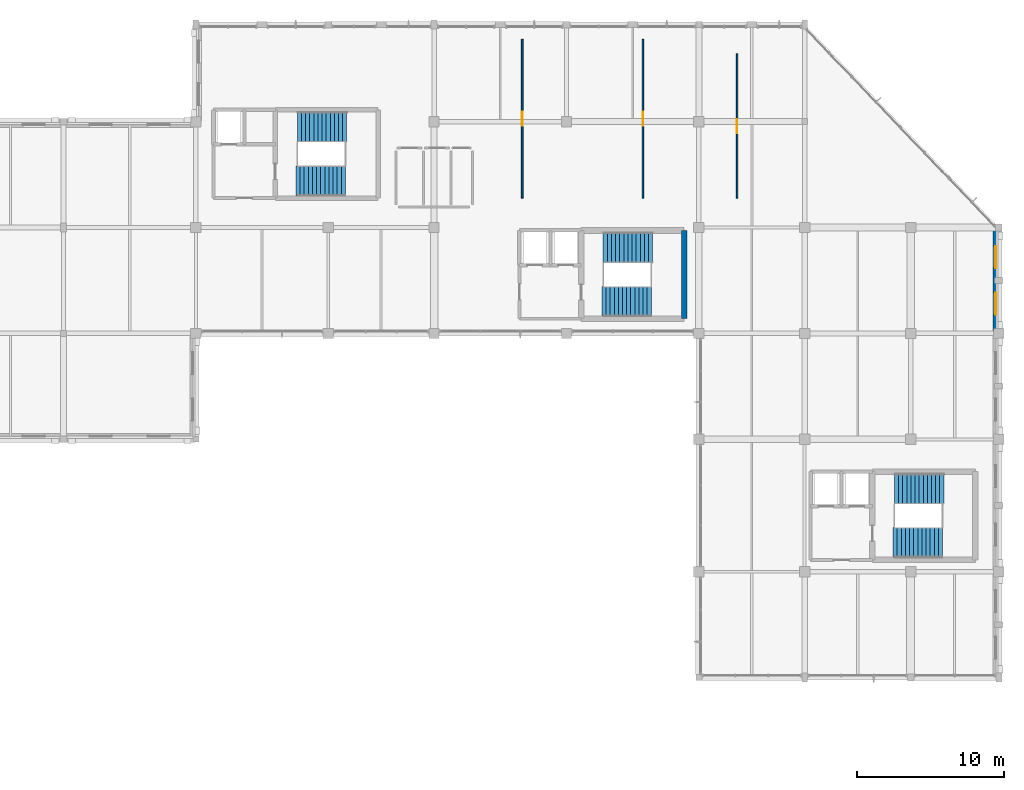
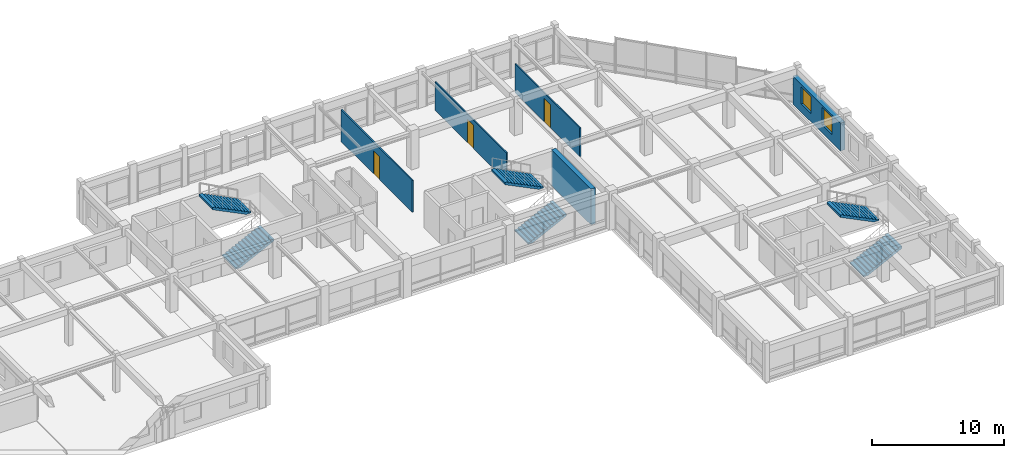
# One storey, part 45 of 52: 6 stair flights, 5 walls, 3 doors, 2 windows, 5 openings, 3 elements without a shape of their own.
"""IFC4 building model written with IfcOpenShell, lengths in metres."""

from ifc_helpers import new_model, si_unit, direction, frame, frame_2d, origin, place, context, subcontext, project, spatial, polyline, rectangle, outline, extrude, material, layer, layer_set, type_object, element, fill, aggregate, save


model = new_model("IFC4")

# Units and contexts
model_context = context("Model", 3, precision=1e-05, world=origin(), true_north=direction((0.0, 1.0)))
body_context = subcontext(model_context, "Body", "Model", "MODEL_VIEW")
ifc_project = project(units=[si_unit("LENGTHUNIT", "METRE"), si_unit("AREAUNIT", "SQUARE_METRE"), si_unit("VOLUMEUNIT", "CUBIC_METRE"), si_unit("PLANEANGLEUNIT", "RADIAN"), si_unit("MASSUNIT", "GRAM", prefix="KILO")], contexts=[model_context])

# Site, building, storey
site_placement = place(None, origin())
site = spatial("IfcSite", under=ifc_project, at=site_placement, CompositionType="ELEMENT")
building_placement = place(site_placement, origin())
building = spatial("IfcBuilding", under=site, at=building_placement, Name="Clarverna Civic Hall", CompositionType="ELEMENT")
storey_placement = place(building_placement, frame((0.0, 0.0, 16.800048828125)))
storey = spatial("IfcBuildingStorey", under=building, at=storey_placement, Name="L04", CompositionType="ELEMENT", Elevation=16.800048828125)

# Wall, openings, windows
ifc_material_1 = material(Name="Montjuic Limestone Ashlar Cladding", Category="masonry")
ifc_layer_1 = layer(ifc_material_1, 0.39990234375)
ifc_layer_set_1 = layer_set([ifc_layer_1], Name="Montjuic Limestone Ashlar Cladding")
wall_type_1 = type_object("IfcWallType", Name="EW-02", PredefinedType="SOLIDWALL", material=ifc_layer_set_1)
wall_1_placement = place(storey_placement, frame((167.800048828125, 102.199951171875, 0.0), z_axis=(0.0, 0.0, 1.0), x_axis=(0.0, -1.0, 0.0)))
wall_1 = element("IfcWall", 1, at=wall_1_placement, inside=storey, type_object=wall_type_1, Name="EW-02-223", PredefinedType="SOLIDWALL", context=body_context, shape_type="SweptSolid", body=[
    extrude(rectangle(XDim=7.199951171875, YDim=0.39990234375, at=frame_2d((3.60009765625, 0.0))), origin(), (0.0, 0.0, 1.0), 2.570068359375),
])
opening_1_placement = place(wall_1_placement, frame((1.26611328125, 0.0, 0.75)))
opening_1 = element("IfcOpeningElement", 2, at=opening_1_placement, cuts=wall_1, Name="Opening WN-14", PredefinedType="OPENING", context=body_context, shape_type="SweptSolid", body=[
    extrude(rectangle(XDim=1.5, YDim=1.60009765625, at=frame_2d((0.75, 0.800048828125))), frame((0.0, 0.2099609375, 0.0), z_axis=(0.0, -1.0, 0.0), x_axis=(1.0, 0.0, 0.0)), (0.0, 0.0, 1.0), 0.419921875),
])
opening_2_placement = place(wall_1_placement, frame((4.43408203125, 0.0, 0.75)))
opening_2 = element("IfcOpeningElement", 3, at=opening_2_placement, cuts=wall_1, Name="Opening WN-14", PredefinedType="OPENING", context=body_context, shape_type="SweptSolid", body=[
    extrude(rectangle(XDim=1.5, YDim=1.60009765625, at=frame_2d((0.75, 0.800048828125))), frame((0.0, 0.2099609375, 0.0), z_axis=(0.0, -1.0, 0.0), x_axis=(1.0, 0.0, 0.0)), (0.0, 0.0, 1.0), 0.419921875),
])
ifc_material_2 = material(Name="Solar-Control Argon Low-E Double Glazing", Category="glass")
window_type = type_object("IfcWindowType", Name="WN-14", PartitioningType="DOUBLE_PANEL_HORIZONTAL", PredefinedType="WINDOW", material=ifc_material_2)
window_1_placement = place(opening_1_placement, origin())
window_1 = element("IfcWindow", 4, at=window_1_placement, inside=storey, type_object=window_type, Name="WN-14-238", OverallHeight=1.60009765625, OverallWidth=1.5, PartitioningType="DOUBLE_PANEL_HORIZONTAL", PredefinedType="WINDOW", context=body_context, shape_type="SweptSolid", body=[
    extrude(rectangle(XDim=1.5, YDim=1.60009765625, at=frame_2d((0.75, 0.800048828125))), frame((0.0, 0.030029296875, 0.0), z_axis=(0.0, -1.0, 0.0), x_axis=(1.0, 0.0, 0.0)), (0.0, 0.0, 1.0), 0.06005859375),
])
fill(opening_1, window_1)
window_2_placement = place(opening_2_placement, origin())
window_2 = element("IfcWindow", 5, at=window_2_placement, inside=storey, type_object=window_type, Name="WN-14-239", OverallHeight=1.60009765625, OverallWidth=1.5, PartitioningType="DOUBLE_PANEL_HORIZONTAL", PredefinedType="WINDOW", context=body_context, shape_type="SweptSolid", body=[
    extrude(rectangle(XDim=1.5, YDim=1.60009765625, at=frame_2d((0.75, 0.800048828125))), frame((0.0, 0.030029296875, 0.0), z_axis=(0.0, -1.0, 0.0), x_axis=(1.0, 0.0, 0.0)), (0.0, 0.0, 1.0), 0.06005859375),
])
fill(opening_2, window_2)

# Wall, opening, door
ifc_material_3 = material(Name="Gypsum Plasterboard Partition", Category="gypsum")
ifc_layer_2 = layer(ifc_material_3, 0.1201171875)
ifc_layer_set_2 = layer_set([ifc_layer_2], Name="Gypsum Plasterboard Partition")
wall_type_2 = type_object("IfcWallType", Name="PW-03", PredefinedType="PARTITIONING", material=ifc_layer_set_2)
wall_2_placement = place(storey_placement, frame((135.60009765625, 104.199951171875, 0.0), z_axis=(0.0, 0.0, 1.0), x_axis=(0.0, 1.0, 0.0)))
wall_2 = element("IfcWall", 6, at=wall_2_placement, inside=storey, type_object=wall_type_2, Name="PW-03-007", PredefinedType="PARTITIONING", context=body_context, shape_type="SweptSolid", body=[
    extrude(rectangle(XDim=10.800048828125, YDim=0.1201171875, at=frame_2d((5.39990234375, 0.0))), origin(), (0.0, 0.0, 1.0), 2.929931640625),
])
opening_3_placement = place(wall_2_placement, frame((4.925048828125, 0.0, 0.0)))
opening_3 = element("IfcOpeningElement", 7, at=opening_3_placement, cuts=wall_2, Name="Opening ID-01", PredefinedType="OPENING", context=body_context, shape_type="SweptSolid", body=[
    extrude(rectangle(XDim=0.949951171875, YDim=2.14990234375, at=frame_2d((0.47509765625, 1.074951171875))), frame((0.0, 0.070068359375, 0.0), z_axis=(0.0, -1.0, 0.0), x_axis=(1.0, 0.0, 0.0)), (0.0, 0.0, 1.0), 0.14013671875),
])
ifc_material_4 = material(Name="European Oak Veneered Acoustic Timber Door", Category="wood")
door_type = type_object("IfcDoorType", Name="ID-01", OperationType="NOTDEFINED", PredefinedType="DOOR", material=ifc_material_4)
door_1_placement = place(opening_3_placement, origin())
door_1 = element("IfcDoor", 8, at=door_1_placement, inside=storey, type_object=door_type, Name="ID-01-008", OperationType="SINGLE_SWING_RIGHT", OverallHeight=2.14990234375, OverallWidth=0.949951171875, PredefinedType="DOOR", context=body_context, shape_type="SweptSolid", body=[
    extrude(rectangle(XDim=0.949951171875, YDim=2.14990234375, at=frame_2d((0.47509765625, 1.074951171875))), frame((0.0, 0.02490234375, 0.0), z_axis=(0.0, -1.0, 0.0), x_axis=(1.0, 0.0, 0.0)), (0.0, 0.0, 1.0), 0.050048828125),
])
fill(opening_3, door_1)

ifc_layer_3 = layer(ifc_material_3, 0.10009765625)
ifc_layer_set_3 = layer_set([ifc_layer_3], Name="Gypsum Plasterboard Partition")
wall_type_3 = type_object("IfcWallType", Name="PW-04", PredefinedType="PARTITIONING", material=ifc_layer_set_3)
wall_3_placement = place(storey_placement, frame((143.800048828125, 104.199951171875, 0.0), z_axis=(0.0, 0.0, 1.0), x_axis=(0.0, 1.0, 0.0)))
wall_3 = element("IfcWall", 9, at=wall_3_placement, inside=storey, type_object=wall_type_3, Name="PW-04-006", PredefinedType="PARTITIONING", context=body_context, shape_type="SweptSolid", body=[
    extrude(rectangle(XDim=10.800048828125, YDim=0.10009765625, at=frame_2d((5.39990234375, 0.0))), origin(), (0.0, 0.0, 1.0), 2.619873046875),
])
opening_4_placement = place(wall_3_placement, frame((4.925048828125, 0.0, 0.0)))
opening_4 = element("IfcOpeningElement", 10, at=opening_4_placement, cuts=wall_3, Name="Opening ID-01", PredefinedType="OPENING", context=body_context, shape_type="SweptSolid", body=[
    extrude(rectangle(XDim=0.949951171875, YDim=2.14990234375, at=frame_2d((0.47509765625, 1.074951171875))), frame((0.0, 0.06005859375, 0.0), z_axis=(0.0, -1.0, 0.0), x_axis=(1.0, 0.0, 0.0)), (0.0, 0.0, 1.0), 0.1201171875),
])
door_2_placement = place(opening_4_placement, origin())
door_2 = element("IfcDoor", 11, at=door_2_placement, inside=storey, type_object=door_type, Name="ID-01-009", OperationType="SINGLE_SWING_LEFT", OverallHeight=2.14990234375, OverallWidth=0.949951171875, PredefinedType="DOOR", context=body_context, shape_type="SweptSolid", body=[
    extrude(rectangle(XDim=0.949951171875, YDim=2.14990234375, at=frame_2d((0.47509765625, 1.074951171875))), frame((0.0, 0.02490234375, 0.0), z_axis=(0.0, -1.0, 0.0), x_axis=(1.0, 0.0, 0.0)), (0.0, 0.0, 1.0), 0.050048828125),
])
fill(opening_4, door_2)

wall_4_placement = place(storey_placement, frame((150.199951171875, 104.199951171875, 0.0), z_axis=(0.0, 0.0, 1.0), x_axis=(0.0, 1.0, 0.0)))
wall_4 = element("IfcWall", 12, at=wall_4_placement, inside=storey, type_object=wall_type_3, Name="PW-04-007", PredefinedType="PARTITIONING", context=body_context, shape_type="SweptSolid", body=[
    extrude(rectangle(XDim=9.800048828125, YDim=0.10009765625, at=frame_2d((4.89990234375, 0.0))), origin(), (0.0, 0.0, 1.0), 2.669921875),
])
opening_5_placement = place(wall_4_placement, frame((4.425048828125, 0.0, 0.0)))
opening_5 = element("IfcOpeningElement", 13, at=opening_5_placement, cuts=wall_4, Name="Opening ID-01", PredefinedType="OPENING", context=body_context, shape_type="SweptSolid", body=[
    extrude(rectangle(XDim=0.949951171875, YDim=2.14990234375, at=frame_2d((0.47509765625, 1.074951171875))), frame((0.0, 0.06005859375, 0.0), z_axis=(0.0, -1.0, 0.0), x_axis=(1.0, 0.0, 0.0)), (0.0, 0.0, 1.0), 0.1201171875),
])
door_3_placement = place(opening_5_placement, origin())
door_3 = element("IfcDoor", 14, at=door_3_placement, inside=storey, type_object=door_type, Name="ID-01-010", OperationType="SINGLE_SWING_RIGHT", OverallHeight=2.14990234375, OverallWidth=0.949951171875, PredefinedType="DOOR", context=body_context, shape_type="SweptSolid", body=[
    extrude(rectangle(XDim=0.949951171875, YDim=2.14990234375, at=frame_2d((0.47509765625, 1.074951171875))), frame((0.0, 0.02490234375, 0.0), z_axis=(0.0, -1.0, 0.0), x_axis=(1.0, 0.0, 0.0)), (0.0, 0.0, 1.0), 0.050048828125),
])
fill(opening_5, door_3)

# Wall
ifc_material_5 = material(Name="Concrete C35/45", Category="concrete")
ifc_layer_4 = layer(ifc_material_5, 0.3798828125)
ifc_layer_set_4 = layer_set([ifc_layer_4], Name="Concrete C35/45")
wall_type_4 = type_object("IfcWallType", Name="SW-01", PredefinedType="SHEAR", material=ifc_layer_set_4)
wall_5_placement = place(storey_placement, frame((146.60009765625, 96.0, 0.0), z_axis=(0.0, 0.0, 1.0), x_axis=(0.0, 1.0, 0.0)))
element("IfcWall", 15, at=wall_5_placement, inside=storey, type_object=wall_type_4, Name="SW-01-047", PredefinedType="SHEAR", context=body_context, shape_type="SweptSolid", body=[
    extrude(rectangle(XDim=6.0, YDim=0.3798828125, at=frame_2d((3.0, 0.0))), origin(), (0.0, 0.0, 1.0), 3.320068359375),
])

# Stair, stair flights
ifc_material_6 = material(Name="Concrete C30/37", Category="concrete")
stair_type = type_object("IfcStairType", Name="ST-H1", PredefinedType="HALF_TURN_STAIR", material=ifc_material_6)
stair_1_placement = place(storey_placement, origin())
stair_1 = element("IfcStair", 16, at=stair_1_placement, inside=storey, type_object=stair_type, Name="ST-H1:L04:0004", PredefinedType="HALF_TURN_STAIR")
stair_flight_type = type_object("IfcStairFlightType", Name="SF-02", PredefinedType="STRAIGHT", material=ifc_material_6)
stair_flight_1_placement = place(storey_placement, frame((141.010009765625, 97.179931640625, 0.0), z_axis=(0.0, 0.0, 1.0), x_axis=(1.0, 0.0, 0.0)))
stair_flight_1 = element("IfcStairFlight", 17, at=stair_flight_1_placement, type_object=stair_flight_type, Name="SF-02:L04:0007", NumberOfRisers=13, NumberOfTreads=12, PredefinedType="STRAIGHT", RiserHeight=0.138462, TreadLength=0.28, context=body_context, shape_type="SweptSolid", body=[
    extrude(outline(polyline([(0.0, 0.0), (0.0, 0.138427734375), (0.280029296875, 0.138427734375), (0.280029296875, 0.27685546875), (0.56005859375, 0.27685546875), (0.56005859375, 0.415283203125), (0.840087890625, 0.415283203125), (0.840087890625, 0.553955078125), (1.1201171875, 0.553955078125), (1.1201171875, 0.6923828125), (1.39990234375, 0.6923828125), (1.39990234375, 0.830810546875), (1.679931640625, 0.830810546875), (1.679931640625, 0.96923828125), (1.9599609375, 0.96923828125), (1.9599609375, 1.107666015625), (2.239990234375, 1.107666015625), (2.239990234375, 1.24609375), (2.52001953125, 1.24609375), (2.52001953125, 1.384521484375), (2.800048828125, 1.384521484375), (2.800048828125, 1.523193359375), (3.080078125, 1.523193359375), (3.080078125, 1.66162109375), (3.360107421875, 1.66162109375), (3.360107421875, 1.800048828125), (3.360107421875, 1.460693359375), (0.406005859375, 0.0), (0.0, 0.0)])), frame((0.0, 1.02001953125, 0.0), z_axis=(0.0, -1.0, 0.0), x_axis=(1.0, 0.0, 0.0)), (0.0, 0.0, 1.0), 2.0400390625),
])
stair_flight_2_placement = place(storey_placement, frame((144.4599609375, 100.820068359375, 1.800048828125), z_axis=(0.0, 0.0, 1.0), x_axis=(-1.0, 0.0, 0.0)))
stair_flight_2 = element("IfcStairFlight", 18, at=stair_flight_2_placement, type_object=stair_flight_type, Name="SF-02:L04:0008", NumberOfRisers=13, NumberOfTreads=12, PredefinedType="STRAIGHT", RiserHeight=0.138462, TreadLength=0.28, context=body_context, shape_type="SweptSolid", body=[
    extrude(outline(polyline([(0.0, 0.0), (0.0, 0.138427734375), (0.280029296875, 0.138427734375), (0.280029296875, 0.27685546875), (0.56005859375, 0.27685546875), (0.56005859375, 0.415283203125), (0.840087890625, 0.415283203125), (0.840087890625, 0.553955078125), (1.1201171875, 0.553955078125), (1.1201171875, 0.6923828125), (1.39990234375, 0.6923828125), (1.39990234375, 0.830810546875), (1.679931640625, 0.830810546875), (1.679931640625, 0.96923828125), (1.9599609375, 0.96923828125), (1.9599609375, 1.107666015625), (2.239990234375, 1.107666015625), (2.239990234375, 1.24609375), (2.52001953125, 1.24609375), (2.52001953125, 1.384521484375), (2.800048828125, 1.384521484375), (2.800048828125, 1.523193359375), (3.080078125, 1.523193359375), (3.080078125, 1.66162109375), (3.360107421875, 1.66162109375), (3.360107421875, 1.800048828125), (3.360107421875, 1.460693359375), (0.406005859375, 0.0), (0.0, 0.0)])), frame((0.0, 1.02001953125, 0.0), z_axis=(0.0, -1.0, 0.0), x_axis=(1.0, 0.0, 0.0)), (0.0, 0.0, 1.0), 2.0400390625),
])
aggregate(stair_1, [stair_flight_1, stair_flight_2])

stair_2_placement = place(storey_placement, origin())
stair_2 = element("IfcStair", 19, at=stair_2_placement, inside=storey, type_object=stair_type, Name="ST-H1:L04:0010", PredefinedType="HALF_TURN_STAIR")
stair_flight_3_placement = place(storey_placement, frame((160.81005859375, 80.780029296875, 0.0), z_axis=(0.0, 0.0, 1.0), x_axis=(1.0, 0.0, 0.0)))
stair_flight_3 = element("IfcStairFlight", 20, at=stair_flight_3_placement, type_object=stair_flight_type, Name="SF-02:L04:0019", NumberOfRisers=13, NumberOfTreads=12, PredefinedType="STRAIGHT", RiserHeight=0.138462, TreadLength=0.28, context=body_context, shape_type="SweptSolid", body=[
    extrude(outline(polyline([(0.0, 0.0), (0.0, 0.138427734375), (0.280029296875, 0.138427734375), (0.280029296875, 0.27685546875), (0.56005859375, 0.27685546875), (0.56005859375, 0.415283203125), (0.840087890625, 0.415283203125), (0.840087890625, 0.553955078125), (1.1201171875, 0.553955078125), (1.1201171875, 0.6923828125), (1.39990234375, 0.6923828125), (1.39990234375, 0.830810546875), (1.679931640625, 0.830810546875), (1.679931640625, 0.96923828125), (1.9599609375, 0.96923828125), (1.9599609375, 1.107666015625), (2.239990234375, 1.107666015625), (2.239990234375, 1.24609375), (2.52001953125, 1.24609375), (2.52001953125, 1.384521484375), (2.800048828125, 1.384521484375), (2.800048828125, 1.523193359375), (3.080078125, 1.523193359375), (3.080078125, 1.66162109375), (3.360107421875, 1.66162109375), (3.360107421875, 1.800048828125), (3.360107421875, 1.460693359375), (0.406005859375, 0.0), (0.0, 0.0)])), frame((0.0, 1.02001953125, 0.0), z_axis=(0.0, -1.0, 0.0), x_axis=(1.0, 0.0, 0.0)), (0.0, 0.0, 1.0), 2.0400390625),
])
stair_flight_4_placement = place(storey_placement, frame((164.260009765625, 84.419921875, 1.800048828125), z_axis=(0.0, 0.0, 1.0), x_axis=(-1.0, 0.0, 0.0)))
stair_flight_4 = element("IfcStairFlight", 21, at=stair_flight_4_placement, type_object=stair_flight_type, Name="SF-02:L04:0020", NumberOfRisers=13, NumberOfTreads=12, PredefinedType="STRAIGHT", RiserHeight=0.138462, TreadLength=0.28, context=body_context, shape_type="SweptSolid", body=[
    extrude(outline(polyline([(0.0, 0.0), (0.0, 0.138427734375), (0.280029296875, 0.138427734375), (0.280029296875, 0.27685546875), (0.56005859375, 0.27685546875), (0.56005859375, 0.415283203125), (0.840087890625, 0.415283203125), (0.840087890625, 0.553955078125), (1.1201171875, 0.553955078125), (1.1201171875, 0.6923828125), (1.39990234375, 0.6923828125), (1.39990234375, 0.830810546875), (1.679931640625, 0.830810546875), (1.679931640625, 0.96923828125), (1.9599609375, 0.96923828125), (1.9599609375, 1.107666015625), (2.239990234375, 1.107666015625), (2.239990234375, 1.24609375), (2.52001953125, 1.24609375), (2.52001953125, 1.384521484375), (2.800048828125, 1.384521484375), (2.800048828125, 1.523193359375), (3.080078125, 1.523193359375), (3.080078125, 1.66162109375), (3.360107421875, 1.66162109375), (3.360107421875, 1.800048828125), (3.360107421875, 1.460693359375), (0.406005859375, 0.0), (0.0, 0.0)])), frame((0.0, 1.02001953125, 0.0), z_axis=(0.0, -1.0, 0.0), x_axis=(1.0, 0.0, 0.0)), (0.0, 0.0, 1.0), 2.0400390625),
])
aggregate(stair_2, [stair_flight_3, stair_flight_4])

stair_3_placement = place(storey_placement, origin())
stair_3 = element("IfcStair", 22, at=stair_3_placement, inside=storey, type_object=stair_type, Name="ST-H1:L04:0022", PredefinedType="HALF_TURN_STAIR")
stair_flight_5_placement = place(storey_placement, frame((120.2099609375, 105.3798828125, 0.0), z_axis=(0.0, 0.0, 1.0), x_axis=(1.0, 0.0, 0.0)))
stair_flight_5 = element("IfcStairFlight", 23, at=stair_flight_5_placement, type_object=stair_flight_type, Name="SF-02:L04:0045", NumberOfRisers=13, NumberOfTreads=12, PredefinedType="STRAIGHT", RiserHeight=0.138462, TreadLength=0.28, context=body_context, shape_type="SweptSolid", body=[
    extrude(outline(polyline([(0.0, 0.0), (0.0, 0.138427734375), (0.280029296875, 0.138427734375), (0.280029296875, 0.27685546875), (0.56005859375, 0.27685546875), (0.56005859375, 0.415283203125), (0.840087890625, 0.415283203125), (0.840087890625, 0.553955078125), (1.1201171875, 0.553955078125), (1.1201171875, 0.6923828125), (1.39990234375, 0.6923828125), (1.39990234375, 0.830810546875), (1.679931640625, 0.830810546875), (1.679931640625, 0.96923828125), (1.9599609375, 0.96923828125), (1.9599609375, 1.107666015625), (2.239990234375, 1.107666015625), (2.239990234375, 1.24609375), (2.52001953125, 1.24609375), (2.52001953125, 1.384521484375), (2.800048828125, 1.384521484375), (2.800048828125, 1.523193359375), (3.080078125, 1.523193359375), (3.080078125, 1.66162109375), (3.360107421875, 1.66162109375), (3.360107421875, 1.800048828125), (3.360107421875, 1.460693359375), (0.406005859375, 0.0), (0.0, 0.0)])), frame((0.0, 1.02001953125, 0.0), z_axis=(0.0, -1.0, 0.0), x_axis=(1.0, 0.0, 0.0)), (0.0, 0.0, 1.0), 2.0400390625),
])
stair_flight_6_placement = place(storey_placement, frame((123.659912109375, 109.02001953125, 1.800048828125), z_axis=(0.0, 0.0, 1.0), x_axis=(-1.0, 0.0, 0.0)))
stair_flight_6 = element("IfcStairFlight", 24, at=stair_flight_6_placement, type_object=stair_flight_type, Name="SF-02:L04:0046", NumberOfRisers=13, NumberOfTreads=12, PredefinedType="STRAIGHT", RiserHeight=0.138462, TreadLength=0.28, context=body_context, shape_type="SweptSolid", body=[
    extrude(outline(polyline([(0.0, 0.0), (0.0, 0.138427734375), (0.280029296875, 0.138427734375), (0.280029296875, 0.27685546875), (0.56005859375, 0.27685546875), (0.56005859375, 0.415283203125), (0.840087890625, 0.415283203125), (0.840087890625, 0.553955078125), (1.1201171875, 0.553955078125), (1.1201171875, 0.6923828125), (1.39990234375, 0.6923828125), (1.39990234375, 0.830810546875), (1.679931640625, 0.830810546875), (1.679931640625, 0.96923828125), (1.9599609375, 0.96923828125), (1.9599609375, 1.107666015625), (2.239990234375, 1.107666015625), (2.239990234375, 1.24609375), (2.52001953125, 1.24609375), (2.52001953125, 1.384521484375), (2.800048828125, 1.384521484375), (2.800048828125, 1.523193359375), (3.080078125, 1.523193359375), (3.080078125, 1.66162109375), (3.360107421875, 1.66162109375), (3.360107421875, 1.800048828125), (3.360107421875, 1.460693359375), (0.406005859375, 0.0), (0.0, 0.0)])), frame((0.0, 1.02001953125, 0.0), z_axis=(0.0, -1.0, 0.0), x_axis=(1.0, 0.0, 0.0)), (0.0, 0.0, 1.0), 2.0400390625),
])
aggregate(stair_3, [stair_flight_5, stair_flight_6])

save(model, "model.ifc")
